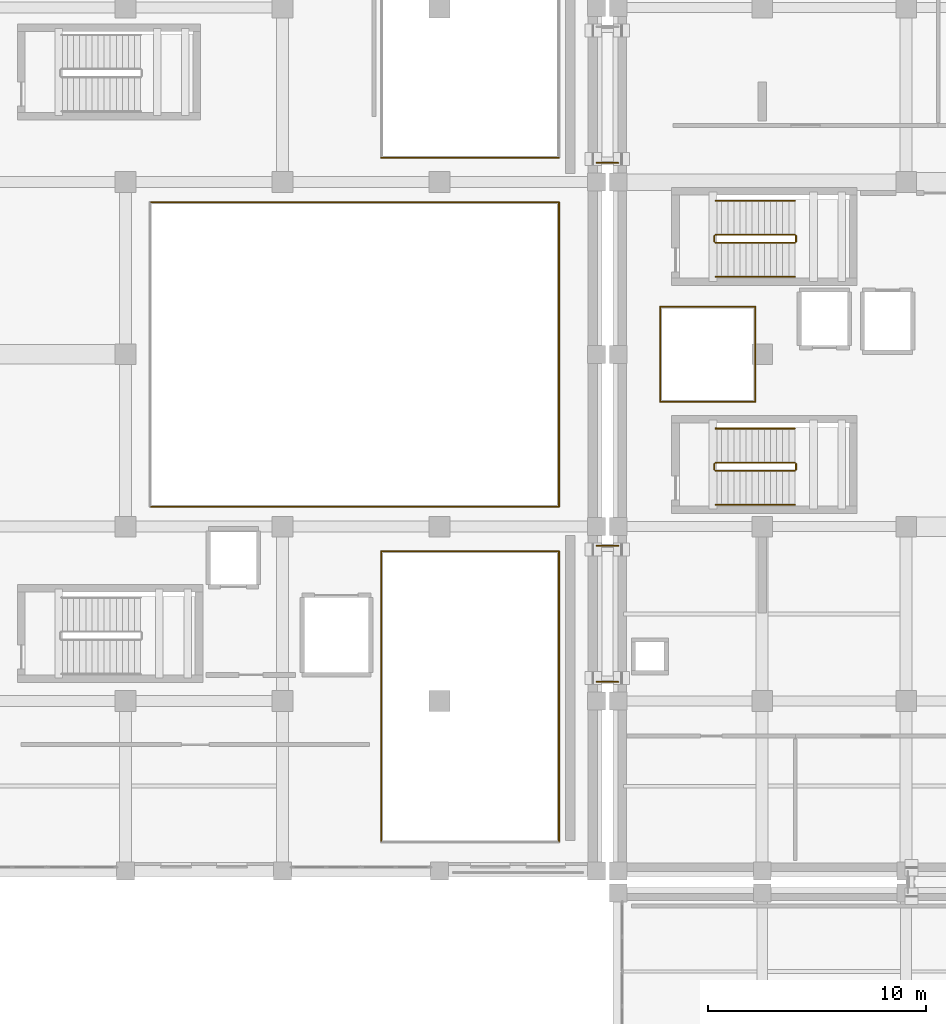
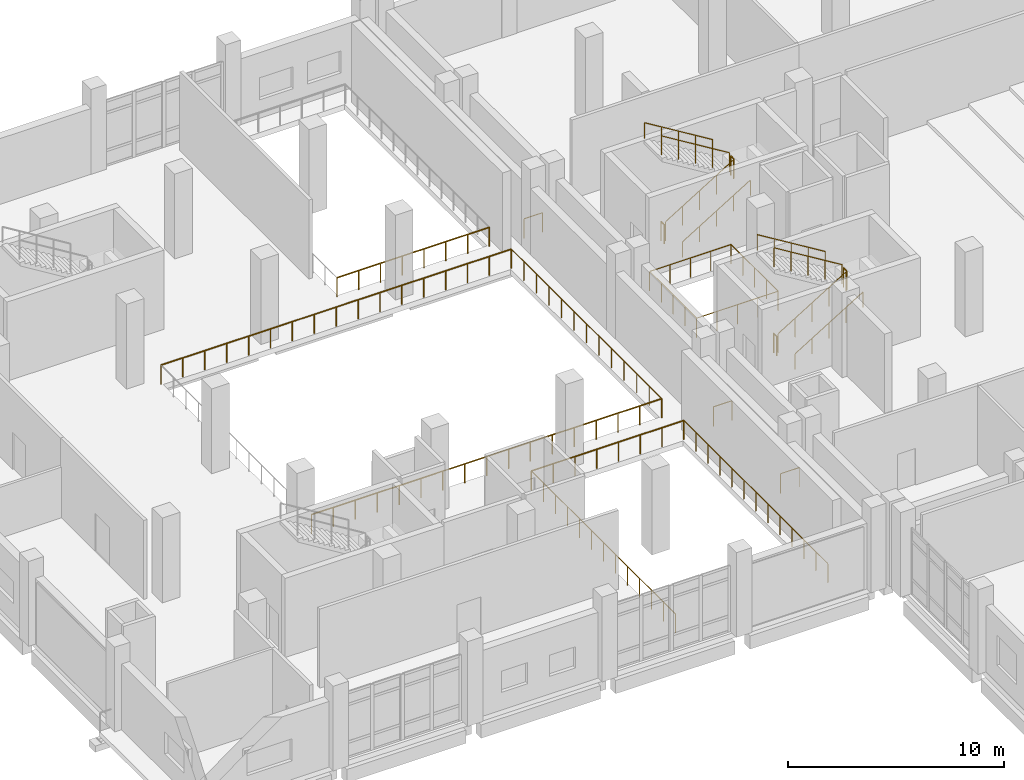
# One storey, part 84 of 90: 26 railings.
"""IFC4 building model written with IfcOpenShell, lengths in metres."""

from ifc_helpers import new_model, si_unit, direction, frame, origin, origin_2d, place, context, subcontext, project, spatial, circle, extrude, material, type_object, element, save


model = new_model("IFC4")

# Units and contexts
model_context = context("Model", 3, precision=1e-05, world=origin(), true_north=direction((0.0, 1.0)))
body_context = subcontext(model_context, "Body", "Model", "MODEL_VIEW")
ifc_project = project(units=[si_unit("LENGTHUNIT", "METRE"), si_unit("AREAUNIT", "SQUARE_METRE"), si_unit("VOLUMEUNIT", "CUBIC_METRE"), si_unit("PLANEANGLEUNIT", "RADIAN"), si_unit("MASSUNIT", "GRAM", prefix="KILO")], contexts=[model_context])

# Site, building, storey
site_placement = place(None, origin())
site = spatial("IfcSite", under=ifc_project, at=site_placement, CompositionType="ELEMENT")
building_placement = place(site_placement, origin())
building = spatial("IfcBuilding", under=site, at=building_placement, Name="Kelarvand Opera House", CompositionType="ELEMENT")
storey_placement = place(building_placement, frame((0.0, 0.0, 5.39990234375)))
storey = spatial("IfcBuildingStorey", under=building, at=storey_placement, Name="L01", CompositionType="ELEMENT", Elevation=5.39990234375)

# Railings
ifc_material_1 = material(Name="Brushed bronze tubular rail")
railing_type_1 = type_object("IfcRailingType", Name="Brushed Bronze Stair Wall Handrail 900", PredefinedType="HANDRAIL", material=ifc_material_1)
railing_1_placement = place(storey_placement, frame((93.4599609375, 66.050048828125, 0.171630859375)))
element("IfcRailing", 1, at=railing_1_placement, inside=storey, type_object=railing_type_1, Name="L01 ST-01 stair handrail 1", PredefinedType="HANDRAIL", context=body_context, shape_type="SweptSolid", body=[
    extrude(circle(Radius=0.02392578125, at=origin_2d()), frame((0.0, 0.0, 0.8759765625), z_axis=(0.852865859571, 0.0, 0.52213008492), x_axis=(0.0, 1.0, 0.0)), (0.0, 0.0, 1.0), 4.26806640625),
    extrude(circle(Radius=0.02099609375, at=origin_2d()), origin(), (0.0, 0.0, 1.0), 0.851806640625),
    extrude(circle(Radius=0.02099609375, at=origin_2d()), frame((0.91015625, 0.0, 0.55712890625)), (0.0, 0.0, 1.0), 0.851806640625),
    extrude(circle(Radius=0.02099609375, at=origin_2d()), frame((1.820068359375, 0.0, 1.1142578125)), (0.0, 0.0, 1.0), 0.851806640625),
    extrude(circle(Radius=0.02099609375, at=origin_2d()), frame((2.72998046875, 0.0, 1.67138671875)), (0.0, 0.0, 1.0), 0.851806640625),
    extrude(circle(Radius=0.02099609375, at=origin_2d()), frame((3.64013671875, 0.0, 2.228515625)), (0.0, 0.0, 1.0), 0.851806640625),
])
railing_2_placement = place(storey_placement, frame((97.10009765625, 69.550048828125, 2.571533203125)))
element("IfcRailing", 2, at=railing_2_placement, inside=storey, type_object=railing_type_1, Name="L01 ST-01 stair handrail 2", PredefinedType="HANDRAIL", context=body_context, shape_type="SweptSolid", body=[
    extrude(circle(Radius=0.02392578125, at=origin_2d()), frame((0.0, 0.0, 0.8759765625), z_axis=(-0.852865859571, 0.0, 0.52213008492), x_axis=(0.0, -1.0, 0.0)), (0.0, 0.0, 1.0), 4.26806640625),
    extrude(circle(Radius=0.02099609375, at=origin_2d()), origin(), (0.0, 0.0, 1.0), 0.851806640625),
    extrude(circle(Radius=0.02099609375, at=origin_2d()), frame((-0.91015625, 0.0, 0.55712890625)), (0.0, 0.0, 1.0), 0.851806640625),
    extrude(circle(Radius=0.02099609375, at=origin_2d()), frame((-1.820068359375, 0.0, 1.1142578125)), (0.0, 0.0, 1.0), 0.851806640625),
    extrude(circle(Radius=0.02099609375, at=origin_2d()), frame((-2.72998046875, 0.0, 1.67138671875)), (0.0, 0.0, 1.0), 0.851806640625),
    extrude(circle(Radius=0.02099609375, at=origin_2d()), frame((-3.64013671875, 0.0, 2.228515625)), (0.0, 0.0, 1.0), 0.851806640625),
])
railing_3_placement = place(storey_placement, frame((93.4599609375, 55.60009765625, 0.171630859375)))
element("IfcRailing", 3, at=railing_3_placement, inside=storey, type_object=railing_type_1, Name="L01 ST-04 stair handrail 1", PredefinedType="HANDRAIL", context=body_context, shape_type="SweptSolid", body=[
    extrude(circle(Radius=0.02392578125, at=origin_2d()), frame((0.0, 0.0, 0.8759765625), z_axis=(0.852865859571, 0.0, 0.52213008492), x_axis=(0.0, 1.0, 0.0)), (0.0, 0.0, 1.0), 4.26806640625),
    extrude(circle(Radius=0.02099609375, at=origin_2d()), origin(), (0.0, 0.0, 1.0), 0.851806640625),
    extrude(circle(Radius=0.02099609375, at=origin_2d()), frame((0.91015625, 0.0, 0.55712890625)), (0.0, 0.0, 1.0), 0.851806640625),
    extrude(circle(Radius=0.02099609375, at=origin_2d()), frame((1.820068359375, 0.0, 1.1142578125)), (0.0, 0.0, 1.0), 0.851806640625),
    extrude(circle(Radius=0.02099609375, at=origin_2d()), frame((2.72998046875, 0.0, 1.67138671875)), (0.0, 0.0, 1.0), 0.851806640625),
    extrude(circle(Radius=0.02099609375, at=origin_2d()), frame((3.64013671875, 0.0, 2.228515625)), (0.0, 0.0, 1.0), 0.851806640625),
])
railing_4_placement = place(storey_placement, frame((97.10009765625, 59.10009765625, 2.571533203125)))
element("IfcRailing", 4, at=railing_4_placement, inside=storey, type_object=railing_type_1, Name="L01 ST-04 stair handrail 2", PredefinedType="HANDRAIL", context=body_context, shape_type="SweptSolid", body=[
    extrude(circle(Radius=0.02392578125, at=origin_2d()), frame((0.0, 0.0, 0.8759765625), z_axis=(-0.852865859571, 0.0, 0.52213008492), x_axis=(0.0, -1.0, 0.0)), (0.0, 0.0, 1.0), 4.26806640625),
    extrude(circle(Radius=0.02099609375, at=origin_2d()), origin(), (0.0, 0.0, 1.0), 0.851806640625),
    extrude(circle(Radius=0.02099609375, at=origin_2d()), frame((-0.91015625, 0.0, 0.55712890625)), (0.0, 0.0, 1.0), 0.851806640625),
    extrude(circle(Radius=0.02099609375, at=origin_2d()), frame((-1.820068359375, 0.0, 1.1142578125)), (0.0, 0.0, 1.0), 0.851806640625),
    extrude(circle(Radius=0.02099609375, at=origin_2d()), frame((-2.72998046875, 0.0, 1.67138671875)), (0.0, 0.0, 1.0), 0.851806640625),
    extrude(circle(Radius=0.02099609375, at=origin_2d()), frame((-3.64013671875, 0.0, 2.228515625)), (0.0, 0.0, 1.0), 0.851806640625),
])
ifc_material_2 = material(Name="Laminated safety glass with bronze cap rail", Category="glass")
railing_type_2 = type_object("IfcRailingType", Name="Laminated Glass and Bronze Foyer Balustrade 1120", PredefinedType="BALUSTRADE", material=ifc_material_2)
railing_5_placement = place(storey_placement, frame((95.280029296875, 64.679931640625, 0.0)))
element("IfcRailing", 5, at=railing_5_placement, inside=storey, type_object=railing_type_2, Name="V1 L01 Balustrade 25", PredefinedType="BALUSTRADE", context=body_context, shape_type="SweptSolid", body=[
    extrude(circle(Radius=0.02392578125, at=origin_2d()), frame((0.0, 0.0, 1.09619140625), z_axis=(0.0, -1.0, 0.0), x_axis=(1.0, 0.0, 0.0)), (0.0, 0.0, 1.0), 4.35986328125),
    extrude(circle(Radius=0.02099609375, at=origin_2d()), origin(), (0.0, 0.0, 1.0), 1.072021484375),
    extrude(circle(Radius=0.02099609375, at=origin_2d()), frame((0.0, -1.08984375, 0.0)), (0.0, 0.0, 1.0), 1.072021484375),
    extrude(circle(Radius=0.02099609375, at=origin_2d()), frame((0.0, -2.179931640625, 0.0)), (0.0, 0.0, 1.0), 1.072021484375),
    extrude(circle(Radius=0.02099609375, at=origin_2d()), frame((0.0, -3.27001953125, 0.0)), (0.0, 0.0, 1.0), 1.072021484375),
    extrude(circle(Radius=0.02099609375, at=origin_2d()), frame((0.0, -4.35986328125, 0.0)), (0.0, 0.0, 1.0), 1.072021484375),
])
railing_6_placement = place(storey_placement, frame((95.280029296875, 60.320068359375, 0.0)))
element("IfcRailing", 6, at=railing_6_placement, inside=storey, type_object=railing_type_2, Name="V1 L01 Balustrade 26", PredefinedType="BALUSTRADE", context=body_context, shape_type="SweptSolid", body=[
    extrude(circle(Radius=0.02392578125, at=origin_2d()), frame((0.0, 0.0, 1.09619140625), z_axis=(-1.0, 0.0, 0.0), x_axis=(0.0, -1.0, 0.0)), (0.0, 0.0, 1.0), 4.360107421875),
    extrude(circle(Radius=0.02099609375, at=origin_2d()), origin(), (0.0, 0.0, 1.0), 1.072021484375),
    extrude(circle(Radius=0.02099609375, at=origin_2d()), frame((-1.090087890625, 0.0, 0.0)), (0.0, 0.0, 1.0), 1.072021484375),
    extrude(circle(Radius=0.02099609375, at=origin_2d()), frame((-2.18017578125, 0.0, 0.0)), (0.0, 0.0, 1.0), 1.072021484375),
    extrude(circle(Radius=0.02099609375, at=origin_2d()), frame((-3.27001953125, 0.0, 0.0)), (0.0, 0.0, 1.0), 1.072021484375),
    extrude(circle(Radius=0.02099609375, at=origin_2d()), frame((-4.360107421875, 0.0, 0.0)), (0.0, 0.0, 1.0), 1.072021484375),
])
railing_7_placement = place(storey_placement, frame((90.919921875, 60.320068359375, 0.0)))
element("IfcRailing", 7, at=railing_7_placement, inside=storey, type_object=railing_type_2, Name="V1 L01 Balustrade 27", PredefinedType="BALUSTRADE", context=body_context, shape_type="SweptSolid", body=[
    extrude(circle(Radius=0.02392578125, at=origin_2d()), frame((0.0, 0.0, 1.09619140625), z_axis=(0.0, 1.0, 0.0), x_axis=(-1.0, 0.0, 0.0)), (0.0, 0.0, 1.0), 4.35986328125),
    extrude(circle(Radius=0.02099609375, at=origin_2d()), origin(), (0.0, 0.0, 1.0), 1.072021484375),
    extrude(circle(Radius=0.02099609375, at=origin_2d()), frame((0.0, 1.08984375, 0.0)), (0.0, 0.0, 1.0), 1.072021484375),
    extrude(circle(Radius=0.02099609375, at=origin_2d()), frame((0.0, 2.179931640625, 0.0)), (0.0, 0.0, 1.0), 1.072021484375),
    extrude(circle(Radius=0.02099609375, at=origin_2d()), frame((0.0, 3.27001953125, 0.0)), (0.0, 0.0, 1.0), 1.072021484375),
    extrude(circle(Radius=0.02099609375, at=origin_2d()), frame((0.0, 4.35986328125, 0.0)), (0.0, 0.0, 1.0), 1.072021484375),
])
railing_8_placement = place(storey_placement, frame((90.919921875, 64.679931640625, 0.0)))
element("IfcRailing", 8, at=railing_8_placement, inside=storey, type_object=railing_type_2, Name="V1 L01 Balustrade 28", PredefinedType="BALUSTRADE", context=body_context, shape_type="SweptSolid", body=[
    extrude(circle(Radius=0.02392578125, at=origin_2d()), frame((0.0, 0.0, 1.09619140625), z_axis=(1.0, 0.0, 0.0), x_axis=(0.0, 1.0, 0.0)), (0.0, 0.0, 1.0), 4.360107421875),
    extrude(circle(Radius=0.02099609375, at=origin_2d()), origin(), (0.0, 0.0, 1.0), 1.072021484375),
    extrude(circle(Radius=0.02099609375, at=origin_2d()), frame((1.090087890625, 0.0, 0.0)), (0.0, 0.0, 1.0), 1.072021484375),
    extrude(circle(Radius=0.02099609375, at=origin_2d()), frame((2.18017578125, 0.0, 0.0)), (0.0, 0.0, 1.0), 1.072021484375),
    extrude(circle(Radius=0.02099609375, at=origin_2d()), frame((3.27001953125, 0.0, 0.0)), (0.0, 0.0, 1.0), 1.072021484375),
    extrude(circle(Radius=0.02099609375, at=origin_2d()), frame((4.360107421875, 0.0, 0.0)), (0.0, 0.0, 1.0), 1.072021484375),
])
for number, where, name in (
    (9, (88.0, 71.280029296875, 0.0), "V1 L01 Balustrade 137"),
    (10, (88.0, 47.47998046875, 0.0), "V1 L01 Balustrade 149"),
    (11, (88.0, 53.719970703125, 0.0), "V1 L01 Balustrade 150"),
):
    element("IfcRailing", number, at=place(storey_placement, frame(where)), inside=storey, type_object=railing_type_2, Name=name, PredefinedType="BALUSTRADE", context=body_context, shape_type="SweptSolid", body=[
        extrude(circle(Radius=0.02392578125, at=origin_2d()), frame((0.0, 0.0, 1.09619140625), z_axis=(1.0, 0.0, 0.0), x_axis=(0.0, 1.0, 0.0)), (0.0, 0.0, 1.0), 1.0),
        extrude(circle(Radius=0.02099609375, at=origin_2d()), origin(), (0.0, 0.0, 1.0), 1.072021484375),
        extrude(circle(Radius=0.02099609375, at=origin_2d()), frame((1.0, 0.0, 0.0)), (0.0, 0.0, 1.0), 1.072021484375),
    ])
ifc_material_3 = material(Name="Powder-coated Steel S355", Category="steel")
railing_type_3 = type_object("IfcRailingType", Name="Painted Steel Stair and Void Guardrail 1100", PredefinedType="GUARDRAIL", material=ifc_material_3)
railing_9_placement = place(storey_placement, frame((93.4599609375, 67.610107421875, 0.171630859375)))
element("IfcRailing", 12, at=railing_9_placement, inside=storey, type_object=railing_type_3, Name="L01 ST-01 stair guard 1", PredefinedType="GUARDRAIL", context=body_context, shape_type="SweptSolid", body=[
    extrude(circle(Radius=0.02392578125, at=origin_2d()), frame((0.0, 0.0, 1.076171875), z_axis=(0.852865859571, 0.0, 0.52213008492), x_axis=(0.0, 1.0, 0.0)), (0.0, 0.0, 1.0), 4.26806640625),
    extrude(circle(Radius=0.02099609375, at=origin_2d()), origin(), (0.0, 0.0, 1.0), 1.052001953125),
    extrude(circle(Radius=0.02099609375, at=origin_2d()), frame((0.91015625, 0.0, 0.55712890625)), (0.0, 0.0, 1.0), 1.052001953125),
    extrude(circle(Radius=0.02099609375, at=origin_2d()), frame((1.820068359375, 0.0, 1.1142578125)), (0.0, 0.0, 1.0), 1.052001953125),
    extrude(circle(Radius=0.02099609375, at=origin_2d()), frame((2.72998046875, 0.0, 1.67138671875)), (0.0, 0.0, 1.0), 1.052001953125),
    extrude(circle(Radius=0.02099609375, at=origin_2d()), frame((3.64013671875, 0.0, 2.228515625)), (0.0, 0.0, 1.0), 1.052001953125),
])
railing_10_placement = place(storey_placement, frame((97.14990234375, 67.659912109375, 2.400146484375)))
element("IfcRailing", 13, at=railing_10_placement, inside=storey, type_object=railing_type_3, Name="L01 ST-01 stair guard 2", PredefinedType="GUARDRAIL", context=body_context, shape_type="SweptSolid", body=[
    extrude(circle(Radius=0.02392578125, at=origin_2d()), frame((0.0, 0.0, 1.076171875), z_axis=(0.0, 1.0, 0.0), x_axis=(-1.0, 0.0, 0.0)), (0.0, 0.0, 1.0), 0.280029296875),
    extrude(circle(Radius=0.02099609375, at=origin_2d()), origin(), (0.0, 0.0, 1.0), 1.052001953125),
    extrude(circle(Radius=0.02099609375, at=origin_2d()), frame((0.0, 0.280029296875, 0.0)), (0.0, 0.0, 1.0), 1.052001953125),
])
railing_11_placement = place(storey_placement, frame((97.10009765625, 67.989990234375, 2.571533203125)))
element("IfcRailing", 14, at=railing_11_placement, inside=storey, type_object=railing_type_3, Name="L01 ST-01 stair guard 3", PredefinedType="GUARDRAIL", context=body_context, shape_type="SweptSolid", body=[
    extrude(circle(Radius=0.02392578125, at=origin_2d()), frame((0.0, 0.0, 1.076171875), z_axis=(-0.852865859571, 0.0, 0.52213008492), x_axis=(0.0, -1.0, 0.0)), (0.0, 0.0, 1.0), 4.26806640625),
    extrude(circle(Radius=0.02099609375, at=origin_2d()), origin(), (0.0, 0.0, 1.0), 1.052001953125),
    extrude(circle(Radius=0.02099609375, at=origin_2d()), frame((-0.91015625, 0.0, 0.55712890625)), (0.0, 0.0, 1.0), 1.052001953125),
    extrude(circle(Radius=0.02099609375, at=origin_2d()), frame((-1.820068359375, 0.0, 1.1142578125)), (0.0, 0.0, 1.0), 1.052001953125),
    extrude(circle(Radius=0.02099609375, at=origin_2d()), frame((-2.72998046875, 0.0, 1.67138671875)), (0.0, 0.0, 1.0), 1.052001953125),
    extrude(circle(Radius=0.02099609375, at=origin_2d()), frame((-3.64013671875, 0.0, 2.228515625)), (0.0, 0.0, 1.0), 1.052001953125),
])
railing_12_placement = place(storey_placement, frame((93.409912109375, 67.659912109375, 0.0)))
element("IfcRailing", 15, at=railing_12_placement, inside=storey, type_object=railing_type_3, Name="L01 ST-01 stair guard 4", PredefinedType="GUARDRAIL", context=body_context, shape_type="SweptSolid", body=[
    extrude(circle(Radius=0.02392578125, at=origin_2d()), frame((0.0, 0.0, 1.076171875), z_axis=(0.0, 1.0, 0.0), x_axis=(-1.0, 0.0, 0.0)), (0.0, 0.0, 1.0), 0.280029296875),
    extrude(circle(Radius=0.02099609375, at=origin_2d()), origin(), (0.0, 0.0, 1.0), 1.052001953125),
    extrude(circle(Radius=0.02099609375, at=origin_2d()), frame((0.0, 0.280029296875, 0.0)), (0.0, 0.0, 1.0), 1.052001953125),
])
railing_13_placement = place(storey_placement, frame((93.4599609375, 57.159912109375, 0.171630859375)))
element("IfcRailing", 16, at=railing_13_placement, inside=storey, type_object=railing_type_3, Name="L01 ST-04 stair guard 1", PredefinedType="GUARDRAIL", context=body_context, shape_type="SweptSolid", body=[
    extrude(circle(Radius=0.02392578125, at=origin_2d()), frame((0.0, 0.0, 1.076171875), z_axis=(0.852865859571, 0.0, 0.52213008492), x_axis=(0.0, 1.0, 0.0)), (0.0, 0.0, 1.0), 4.26806640625),
    extrude(circle(Radius=0.02099609375, at=origin_2d()), origin(), (0.0, 0.0, 1.0), 1.052001953125),
    extrude(circle(Radius=0.02099609375, at=origin_2d()), frame((0.91015625, 0.0, 0.55712890625)), (0.0, 0.0, 1.0), 1.052001953125),
    extrude(circle(Radius=0.02099609375, at=origin_2d()), frame((1.820068359375, 0.0, 1.1142578125)), (0.0, 0.0, 1.0), 1.052001953125),
    extrude(circle(Radius=0.02099609375, at=origin_2d()), frame((2.72998046875, 0.0, 1.67138671875)), (0.0, 0.0, 1.0), 1.052001953125),
    extrude(circle(Radius=0.02099609375, at=origin_2d()), frame((3.64013671875, 0.0, 2.228515625)), (0.0, 0.0, 1.0), 1.052001953125),
])
railing_14_placement = place(storey_placement, frame((97.14990234375, 57.2099609375, 2.400146484375)))
element("IfcRailing", 17, at=railing_14_placement, inside=storey, type_object=railing_type_3, Name="L01 ST-04 stair guard 2", PredefinedType="GUARDRAIL", context=body_context, shape_type="SweptSolid", body=[
    extrude(circle(Radius=0.02392578125, at=origin_2d()), frame((0.0, 0.0, 1.076171875), z_axis=(0.0, 1.0, 0.0), x_axis=(-1.0, 0.0, 0.0)), (0.0, 0.0, 1.0), 0.280029296875),
    extrude(circle(Radius=0.02099609375, at=origin_2d()), origin(), (0.0, 0.0, 1.0), 1.052001953125),
    extrude(circle(Radius=0.02099609375, at=origin_2d()), frame((0.0, 0.280029296875, 0.0)), (0.0, 0.0, 1.0), 1.052001953125),
])
railing_15_placement = place(storey_placement, frame((97.10009765625, 57.5400390625, 2.571533203125)))
element("IfcRailing", 18, at=railing_15_placement, inside=storey, type_object=railing_type_3, Name="L01 ST-04 stair guard 3", PredefinedType="GUARDRAIL", context=body_context, shape_type="SweptSolid", body=[
    extrude(circle(Radius=0.02392578125, at=origin_2d()), frame((0.0, 0.0, 1.076171875), z_axis=(-0.852865859571, 0.0, 0.52213008492), x_axis=(0.0, -1.0, 0.0)), (0.0, 0.0, 1.0), 4.26806640625),
    extrude(circle(Radius=0.02099609375, at=origin_2d()), origin(), (0.0, 0.0, 1.0), 1.052001953125),
    extrude(circle(Radius=0.02099609375, at=origin_2d()), frame((-0.91015625, 0.0, 0.55712890625)), (0.0, 0.0, 1.0), 1.052001953125),
    extrude(circle(Radius=0.02099609375, at=origin_2d()), frame((-1.820068359375, 0.0, 1.1142578125)), (0.0, 0.0, 1.0), 1.052001953125),
    extrude(circle(Radius=0.02099609375, at=origin_2d()), frame((-2.72998046875, 0.0, 1.67138671875)), (0.0, 0.0, 1.0), 1.052001953125),
    extrude(circle(Radius=0.02099609375, at=origin_2d()), frame((-3.64013671875, 0.0, 2.228515625)), (0.0, 0.0, 1.0), 1.052001953125),
])
railing_16_placement = place(storey_placement, frame((93.409912109375, 57.2099609375, 0.0)))
element("IfcRailing", 19, at=railing_16_placement, inside=storey, type_object=railing_type_3, Name="L01 ST-04 stair guard 4", PredefinedType="GUARDRAIL", context=body_context, shape_type="SweptSolid", body=[
    extrude(circle(Radius=0.02392578125, at=origin_2d()), frame((0.0, 0.0, 1.076171875), z_axis=(0.0, 1.0, 0.0), x_axis=(-1.0, 0.0, 0.0)), (0.0, 0.0, 1.0), 0.280029296875),
    extrude(circle(Radius=0.02099609375, at=origin_2d()), origin(), (0.0, 0.0, 1.0), 1.052001953125),
    extrude(circle(Radius=0.02099609375, at=origin_2d()), frame((0.0, 0.280029296875, 0.0)), (0.0, 0.0, 1.0), 1.052001953125),
])
railing_17_placement = place(storey_placement, frame((86.280029296875, 53.47998046875, 0.0)))
element("IfcRailing", 20, at=railing_17_placement, inside=storey, type_object=railing_type_3, Name="V2 L01 Guardrail 29", PredefinedType="GUARDRAIL", context=body_context, shape_type="SweptSolid", body=[
    extrude(circle(Radius=0.02392578125, at=origin_2d()), frame((0.0, 0.0, 1.076171875), z_axis=(0.0, -1.0, 0.0), x_axis=(1.0, 0.0, 0.0)), (0.0, 0.0, 1.0), 13.35986328125),
    extrude(circle(Radius=0.02099609375, at=origin_2d()), origin(), (0.0, 0.0, 1.0), 1.052001953125),
    extrude(circle(Radius=0.02099609375, at=origin_2d()), frame((0.0, -1.11328125, 0.0)), (0.0, 0.0, 1.0), 1.052001953125),
    extrude(circle(Radius=0.02099609375, at=origin_2d()), frame((0.0, -2.2265625, 0.0)), (0.0, 0.0, 1.0), 1.052001953125),
    extrude(circle(Radius=0.02099609375, at=origin_2d()), frame((0.0, -3.33984375, 0.0)), (0.0, 0.0, 1.0), 1.052001953125),
    extrude(circle(Radius=0.02099609375, at=origin_2d()), frame((0.0, -4.453369140625, 0.0)), (0.0, 0.0, 1.0), 1.052001953125),
    extrude(circle(Radius=0.02099609375, at=origin_2d()), frame((0.0, -5.566650390625, 0.0)), (0.0, 0.0, 1.0), 1.052001953125),
    extrude(circle(Radius=0.02099609375, at=origin_2d()), frame((0.0, -6.679931640625, 0.0)), (0.0, 0.0, 1.0), 1.052001953125),
    extrude(circle(Radius=0.02099609375, at=origin_2d()), frame((0.0, -7.793212890625, 0.0)), (0.0, 0.0, 1.0), 1.052001953125),
    extrude(circle(Radius=0.02099609375, at=origin_2d()), frame((0.0, -8.906494140625, 0.0)), (0.0, 0.0, 1.0), 1.052001953125),
    extrude(circle(Radius=0.02099609375, at=origin_2d()), frame((0.0, -10.02001953125, 0.0)), (0.0, 0.0, 1.0), 1.052001953125),
    extrude(circle(Radius=0.02099609375, at=origin_2d()), frame((0.0, -11.13330078125, 0.0)), (0.0, 0.0, 1.0), 1.052001953125),
    extrude(circle(Radius=0.02099609375, at=origin_2d()), frame((0.0, -12.24658203125, 0.0)), (0.0, 0.0, 1.0), 1.052001953125),
    extrude(circle(Radius=0.02099609375, at=origin_2d()), frame((0.0, -13.35986328125, 0.0)), (0.0, 0.0, 1.0), 1.052001953125),
])
railing_18_placement = place(storey_placement, frame((78.1201171875, 40.1201171875, 0.0)))
element("IfcRailing", 21, at=railing_18_placement, inside=storey, type_object=railing_type_3, Name="V2 L01 Guardrail 31", PredefinedType="GUARDRAIL", context=body_context, shape_type="SweptSolid", body=[
    extrude(circle(Radius=0.02392578125, at=origin_2d()), frame((0.0, 0.0, 1.076171875), z_axis=(0.0, 1.0, 0.0), x_axis=(-1.0, 0.0, 0.0)), (0.0, 0.0, 1.0), 13.35986328125),
    extrude(circle(Radius=0.02099609375, at=origin_2d()), origin(), (0.0, 0.0, 1.0), 1.052001953125),
    extrude(circle(Radius=0.02099609375, at=origin_2d()), frame((0.0, 1.11328125, 0.0)), (0.0, 0.0, 1.0), 1.052001953125),
    extrude(circle(Radius=0.02099609375, at=origin_2d()), frame((0.0, 2.2265625, 0.0)), (0.0, 0.0, 1.0), 1.052001953125),
    extrude(circle(Radius=0.02099609375, at=origin_2d()), frame((0.0, 3.33984375, 0.0)), (0.0, 0.0, 1.0), 1.052001953125),
    extrude(circle(Radius=0.02099609375, at=origin_2d()), frame((0.0, 4.453369140625, 0.0)), (0.0, 0.0, 1.0), 1.052001953125),
    extrude(circle(Radius=0.02099609375, at=origin_2d()), frame((0.0, 5.566650390625, 0.0)), (0.0, 0.0, 1.0), 1.052001953125),
    extrude(circle(Radius=0.02099609375, at=origin_2d()), frame((0.0, 6.679931640625, 0.0)), (0.0, 0.0, 1.0), 1.052001953125),
    extrude(circle(Radius=0.02099609375, at=origin_2d()), frame((0.0, 7.793212890625, 0.0)), (0.0, 0.0, 1.0), 1.052001953125),
    extrude(circle(Radius=0.02099609375, at=origin_2d()), frame((0.0, 8.906494140625, 0.0)), (0.0, 0.0, 1.0), 1.052001953125),
    extrude(circle(Radius=0.02099609375, at=origin_2d()), frame((0.0, 10.02001953125, 0.0)), (0.0, 0.0, 1.0), 1.052001953125),
    extrude(circle(Radius=0.02099609375, at=origin_2d()), frame((0.0, 11.13330078125, 0.0)), (0.0, 0.0, 1.0), 1.052001953125),
    extrude(circle(Radius=0.02099609375, at=origin_2d()), frame((0.0, 12.24658203125, 0.0)), (0.0, 0.0, 1.0), 1.052001953125),
    extrude(circle(Radius=0.02099609375, at=origin_2d()), frame((0.0, 13.35986328125, 0.0)), (0.0, 0.0, 1.0), 1.052001953125),
])
railing_19_placement = place(storey_placement, frame((78.1201171875, 53.47998046875, 0.0)))
element("IfcRailing", 22, at=railing_19_placement, inside=storey, type_object=railing_type_3, Name="V2 L01 Guardrail 32", PredefinedType="GUARDRAIL", context=body_context, shape_type="SweptSolid", body=[
    extrude(circle(Radius=0.02392578125, at=origin_2d()), frame((0.0, 0.0, 1.076171875), z_axis=(1.0, 0.0, 0.0), x_axis=(0.0, 1.0, 0.0)), (0.0, 0.0, 1.0), 8.159912109375),
    extrude(circle(Radius=0.02099609375, at=origin_2d()), origin(), (0.0, 0.0, 1.0), 1.052001953125),
    extrude(circle(Radius=0.02099609375, at=origin_2d()), frame((1.165771484375, 0.0, 0.0)), (0.0, 0.0, 1.0), 1.052001953125),
    extrude(circle(Radius=0.02099609375, at=origin_2d()), frame((2.331298828125, 0.0, 0.0)), (0.0, 0.0, 1.0), 1.052001953125),
    extrude(circle(Radius=0.02099609375, at=origin_2d()), frame((3.4970703125, 0.0, 0.0)), (0.0, 0.0, 1.0), 1.052001953125),
    extrude(circle(Radius=0.02099609375, at=origin_2d()), frame((4.662841796875, 0.0, 0.0)), (0.0, 0.0, 1.0), 1.052001953125),
    extrude(circle(Radius=0.02099609375, at=origin_2d()), frame((5.82861328125, 0.0, 0.0)), (0.0, 0.0, 1.0), 1.052001953125),
    extrude(circle(Radius=0.02099609375, at=origin_2d()), frame((6.994140625, 0.0, 0.0)), (0.0, 0.0, 1.0), 1.052001953125),
    extrude(circle(Radius=0.02099609375, at=origin_2d()), frame((8.159912109375, 0.0, 0.0)), (0.0, 0.0, 1.0), 1.052001953125),
])
railing_20_placement = place(storey_placement, frame((86.280029296875, 69.47998046875, 0.0)))
element("IfcRailing", 23, at=railing_20_placement, inside=storey, type_object=railing_type_3, Name="V2 L01 Guardrail 33", PredefinedType="GUARDRAIL", context=body_context, shape_type="SweptSolid", body=[
    extrude(circle(Radius=0.02392578125, at=origin_2d()), frame((0.0, 0.0, 1.076171875), z_axis=(0.0, -1.0, 0.0), x_axis=(1.0, 0.0, 0.0)), (0.0, 0.0, 1.0), 13.9599609375),
    extrude(circle(Radius=0.02099609375, at=origin_2d()), origin(), (0.0, 0.0, 1.0), 1.052001953125),
    extrude(circle(Radius=0.02099609375, at=origin_2d()), frame((0.0, -1.163330078125, 0.0)), (0.0, 0.0, 1.0), 1.052001953125),
    extrude(circle(Radius=0.02099609375, at=origin_2d()), frame((0.0, -2.32666015625, 0.0)), (0.0, 0.0, 1.0), 1.052001953125),
    extrude(circle(Radius=0.02099609375, at=origin_2d()), frame((0.0, -3.489990234375, 0.0)), (0.0, 0.0, 1.0), 1.052001953125),
    extrude(circle(Radius=0.02099609375, at=origin_2d()), frame((0.0, -4.6533203125, 0.0)), (0.0, 0.0, 1.0), 1.052001953125),
    extrude(circle(Radius=0.02099609375, at=origin_2d()), frame((0.0, -5.816650390625, 0.0)), (0.0, 0.0, 1.0), 1.052001953125),
    extrude(circle(Radius=0.02099609375, at=origin_2d()), frame((0.0, -6.97998046875, 0.0)), (0.0, 0.0, 1.0), 1.052001953125),
    extrude(circle(Radius=0.02099609375, at=origin_2d()), frame((0.0, -8.143310546875, 0.0)), (0.0, 0.0, 1.0), 1.052001953125),
    extrude(circle(Radius=0.02099609375, at=origin_2d()), frame((0.0, -9.306640625, 0.0)), (0.0, 0.0, 1.0), 1.052001953125),
    extrude(circle(Radius=0.02099609375, at=origin_2d()), frame((0.0, -10.469970703125, 0.0)), (0.0, 0.0, 1.0), 1.052001953125),
    extrude(circle(Radius=0.02099609375, at=origin_2d()), frame((0.0, -11.63330078125, 0.0)), (0.0, 0.0, 1.0), 1.052001953125),
    extrude(circle(Radius=0.02099609375, at=origin_2d()), frame((0.0, -12.796630859375, 0.0)), (0.0, 0.0, 1.0), 1.052001953125),
    extrude(circle(Radius=0.02099609375, at=origin_2d()), frame((0.0, -13.9599609375, 0.0)), (0.0, 0.0, 1.0), 1.052001953125),
])
railing_21_placement = place(storey_placement, frame((86.280029296875, 55.52001953125, 0.0)))
element("IfcRailing", 24, at=railing_21_placement, inside=storey, type_object=railing_type_3, Name="V2 L01 Guardrail 34", PredefinedType="GUARDRAIL", context=body_context, shape_type="SweptSolid", body=[
    extrude(circle(Radius=0.02392578125, at=origin_2d()), frame((0.0, 0.0, 1.076171875), z_axis=(-1.0, 0.0, 0.0), x_axis=(0.0, -1.0, 0.0)), (0.0, 0.0, 1.0), 18.760009765625),
    extrude(circle(Radius=0.02099609375, at=origin_2d()), origin(), (0.0, 0.0, 1.0), 1.052001953125),
    extrude(circle(Radius=0.02099609375, at=origin_2d()), frame((-1.172607421875, 0.0, 0.0)), (0.0, 0.0, 1.0), 1.052001953125),
    extrude(circle(Radius=0.02099609375, at=origin_2d()), frame((-2.344970703125, 0.0, 0.0)), (0.0, 0.0, 1.0), 1.052001953125),
    extrude(circle(Radius=0.02099609375, at=origin_2d()), frame((-3.517578125, 0.0, 0.0)), (0.0, 0.0, 1.0), 1.052001953125),
    extrude(circle(Radius=0.02099609375, at=origin_2d()), frame((-4.68994140625, 0.0, 0.0)), (0.0, 0.0, 1.0), 1.052001953125),
    extrude(circle(Radius=0.02099609375, at=origin_2d()), frame((-5.862548828125, 0.0, 0.0)), (0.0, 0.0, 1.0), 1.052001953125),
    extrude(circle(Radius=0.02099609375, at=origin_2d()), frame((-7.034912109375, 0.0, 0.0)), (0.0, 0.0, 1.0), 1.052001953125),
    extrude(circle(Radius=0.02099609375, at=origin_2d()), frame((-8.20751953125, 0.0, 0.0)), (0.0, 0.0, 1.0), 1.052001953125),
    extrude(circle(Radius=0.02099609375, at=origin_2d()), frame((-9.3798828125, 0.0, 0.0)), (0.0, 0.0, 1.0), 1.052001953125),
    extrude(circle(Radius=0.02099609375, at=origin_2d()), frame((-10.552490234375, 0.0, 0.0)), (0.0, 0.0, 1.0), 1.052001953125),
    extrude(circle(Radius=0.02099609375, at=origin_2d()), frame((-11.72509765625, 0.0, 0.0)), (0.0, 0.0, 1.0), 1.052001953125),
    extrude(circle(Radius=0.02099609375, at=origin_2d()), frame((-12.8974609375, 0.0, 0.0)), (0.0, 0.0, 1.0), 1.052001953125),
    extrude(circle(Radius=0.02099609375, at=origin_2d()), frame((-14.070068359375, 0.0, 0.0)), (0.0, 0.0, 1.0), 1.052001953125),
    extrude(circle(Radius=0.02099609375, at=origin_2d()), frame((-15.242431640625, 0.0, 0.0)), (0.0, 0.0, 1.0), 1.052001953125),
    extrude(circle(Radius=0.02099609375, at=origin_2d()), frame((-16.4150390625, 0.0, 0.0)), (0.0, 0.0, 1.0), 1.052001953125),
    extrude(circle(Radius=0.02099609375, at=origin_2d()), frame((-17.58740234375, 0.0, 0.0)), (0.0, 0.0, 1.0), 1.052001953125),
    extrude(circle(Radius=0.02099609375, at=origin_2d()), frame((-18.760009765625, 0.0, 0.0)), (0.0, 0.0, 1.0), 1.052001953125),
])
railing_22_placement = place(storey_placement, frame((67.52001953125, 69.47998046875, 0.0)))
element("IfcRailing", 25, at=railing_22_placement, inside=storey, type_object=railing_type_3, Name="V2 L01 Guardrail 36", PredefinedType="GUARDRAIL", context=body_context, shape_type="SweptSolid", body=[
    extrude(circle(Radius=0.02392578125, at=origin_2d()), frame((0.0, 0.0, 1.076171875), z_axis=(1.0, 0.0, 0.0), x_axis=(0.0, 1.0, 0.0)), (0.0, 0.0, 1.0), 18.760009765625),
    extrude(circle(Radius=0.02099609375, at=origin_2d()), origin(), (0.0, 0.0, 1.0), 1.052001953125),
    extrude(circle(Radius=0.02099609375, at=origin_2d()), frame((1.172607421875, 0.0, 0.0)), (0.0, 0.0, 1.0), 1.052001953125),
    extrude(circle(Radius=0.02099609375, at=origin_2d()), frame((2.344970703125, 0.0, 0.0)), (0.0, 0.0, 1.0), 1.052001953125),
    extrude(circle(Radius=0.02099609375, at=origin_2d()), frame((3.517578125, 0.0, 0.0)), (0.0, 0.0, 1.0), 1.052001953125),
    extrude(circle(Radius=0.02099609375, at=origin_2d()), frame((4.68994140625, 0.0, 0.0)), (0.0, 0.0, 1.0), 1.052001953125),
    extrude(circle(Radius=0.02099609375, at=origin_2d()), frame((5.862548828125, 0.0, 0.0)), (0.0, 0.0, 1.0), 1.052001953125),
    extrude(circle(Radius=0.02099609375, at=origin_2d()), frame((7.034912109375, 0.0, 0.0)), (0.0, 0.0, 1.0), 1.052001953125),
    extrude(circle(Radius=0.02099609375, at=origin_2d()), frame((8.20751953125, 0.0, 0.0)), (0.0, 0.0, 1.0), 1.052001953125),
    extrude(circle(Radius=0.02099609375, at=origin_2d()), frame((9.3798828125, 0.0, 0.0)), (0.0, 0.0, 1.0), 1.052001953125),
    extrude(circle(Radius=0.02099609375, at=origin_2d()), frame((10.552490234375, 0.0, 0.0)), (0.0, 0.0, 1.0), 1.052001953125),
    extrude(circle(Radius=0.02099609375, at=origin_2d()), frame((11.72509765625, 0.0, 0.0)), (0.0, 0.0, 1.0), 1.052001953125),
    extrude(circle(Radius=0.02099609375, at=origin_2d()), frame((12.8974609375, 0.0, 0.0)), (0.0, 0.0, 1.0), 1.052001953125),
    extrude(circle(Radius=0.02099609375, at=origin_2d()), frame((14.070068359375, 0.0, 0.0)), (0.0, 0.0, 1.0), 1.052001953125),
    extrude(circle(Radius=0.02099609375, at=origin_2d()), frame((15.242431640625, 0.0, 0.0)), (0.0, 0.0, 1.0), 1.052001953125),
    extrude(circle(Radius=0.02099609375, at=origin_2d()), frame((16.4150390625, 0.0, 0.0)), (0.0, 0.0, 1.0), 1.052001953125),
    extrude(circle(Radius=0.02099609375, at=origin_2d()), frame((17.58740234375, 0.0, 0.0)), (0.0, 0.0, 1.0), 1.052001953125),
    extrude(circle(Radius=0.02099609375, at=origin_2d()), frame((18.760009765625, 0.0, 0.0)), (0.0, 0.0, 1.0), 1.052001953125),
])
railing_23_placement = place(storey_placement, frame((86.280029296875, 71.52001953125, 0.0)))
element("IfcRailing", 26, at=railing_23_placement, inside=storey, type_object=railing_type_3, Name="V2 L01 Guardrail 38", PredefinedType="GUARDRAIL", context=body_context, shape_type="SweptSolid", body=[
    extrude(circle(Radius=0.02392578125, at=origin_2d()), frame((0.0, 0.0, 1.076171875), z_axis=(-1.0, 0.0, 0.0), x_axis=(0.0, -1.0, 0.0)), (0.0, 0.0, 1.0), 8.159912109375),
    extrude(circle(Radius=0.02099609375, at=origin_2d()), origin(), (0.0, 0.0, 1.0), 1.052001953125),
    extrude(circle(Radius=0.02099609375, at=origin_2d()), frame((-1.165771484375, 0.0, 0.0)), (0.0, 0.0, 1.0), 1.052001953125),
    extrude(circle(Radius=0.02099609375, at=origin_2d()), frame((-2.331298828125, 0.0, 0.0)), (0.0, 0.0, 1.0), 1.052001953125),
    extrude(circle(Radius=0.02099609375, at=origin_2d()), frame((-3.4970703125, 0.0, 0.0)), (0.0, 0.0, 1.0), 1.052001953125),
    extrude(circle(Radius=0.02099609375, at=origin_2d()), frame((-4.662841796875, 0.0, 0.0)), (0.0, 0.0, 1.0), 1.052001953125),
    extrude(circle(Radius=0.02099609375, at=origin_2d()), frame((-5.82861328125, 0.0, 0.0)), (0.0, 0.0, 1.0), 1.052001953125),
    extrude(circle(Radius=0.02099609375, at=origin_2d()), frame((-6.994140625, 0.0, 0.0)), (0.0, 0.0, 1.0), 1.052001953125),
    extrude(circle(Radius=0.02099609375, at=origin_2d()), frame((-8.159912109375, 0.0, 0.0)), (0.0, 0.0, 1.0), 1.052001953125),
])

save(model, "model.ifc")
